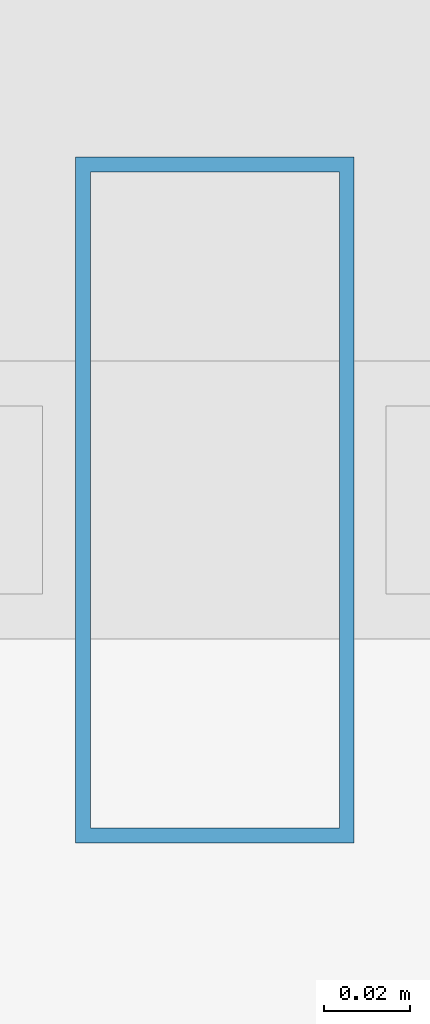
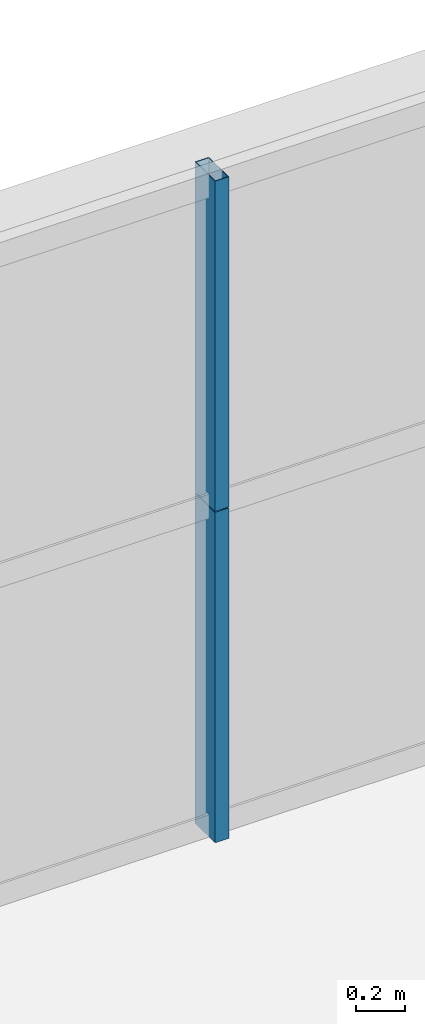
# One storey, part 27 of 38: 2 members, 1 element without a shape of its own.
"""IFC4 building model written with IfcOpenShell, lengths in metres."""

from ifc_helpers import new_model, si_unit, direction, frame, origin, origin_2d, place, context, subcontext, project, spatial, hollow_rectangle, extrude, source, transform, mapped, material, layer, layer_set, material_profile, profile_set, type_object, element, aggregate, save


model = new_model("IFC4")

# Units and contexts
model_context = context("Model", 3, precision=1e-05, world=origin(), true_north=direction((0.0, 1.0)))
body_context = subcontext(model_context, "Body", "Model", "MODEL_VIEW")
ifc_project = project(units=[si_unit("LENGTHUNIT", "METRE"), si_unit("AREAUNIT", "SQUARE_METRE"), si_unit("VOLUMEUNIT", "CUBIC_METRE"), si_unit("PLANEANGLEUNIT", "RADIAN"), si_unit("MASSUNIT", "GRAM", prefix="KILO"), si_unit("THERMODYNAMICTEMPERATUREUNIT", "KELVIN"), si_unit("POWERUNIT", "WATT")], contexts=[model_context])

# Site, building, storey
site_placement = place(None, origin())
site = spatial("IfcSite", under=ifc_project, at=site_placement, CompositionType="ELEMENT")
building_placement = place(site_placement, origin())
building = spatial("IfcBuilding", under=site, at=building_placement, Name="Yuzanri Waterfront Tower", CompositionType="ELEMENT")
storey_placement = place(building_placement, frame((0.0, 0.0, 202.0)))
storey = spatial("IfcBuildingStorey", under=building, at=storey_placement, Name="L53", CompositionType="ELEMENT", Elevation=202.0)

# Curtain wall, members
ifc_material_1 = material(Name="Anodized Architectural Bronze", Category="metal")
ifc_layer = layer(ifc_material_1, 0.159912109375)
ifc_layer_set = layer_set([ifc_layer], Name="Anodized Architectural Bronze")
curtain_wall_type = type_object("IfcCurtainWallType", Name="Anodized Bronze Mid-Rise Residential Acoustic Unitized Curtain Wall 7200", PredefinedType="NOTDEFINED", material=ifc_layer_set)
curtain_wall_placement = place(storey_placement, origin())
curtain_wall = element("IfcCurtainWall", 1, at=curtain_wall_placement, inside=storey, type_object=curtain_wall_type, Name="L53 Curtain Wall CW-L53-NL", PredefinedType="NOTDEFINED")
ifc_material_2 = material(Name="Anodized Architectural Bronze", Category="metal")
ifc_material_profile = material_profile(ifc_material_2, hollow_rectangle(XDim=0.06494140625, YDim=0.159912109375, WallThickness=0.00341796875, at=origin_2d()), Name="CWM 65x160")
ifc_profile_set = profile_set([ifc_material_profile], Name="Anodized Architectural Bronze")
member_type = type_object("IfcMemberType", Name="Anodized Bronze Upper-Zone Curtain-Wall Mullion 65x160", PredefinedType="MULLION", material=ifc_profile_set)
shared_shape = source(origin(), body_context, "Body", "SweptSolid", [
    extrude(hollow_rectangle(XDim=0.06494140625, YDim=0.159912109375, WallThickness=0.00341796875, at=origin_2d()), origin(), (0.0, 0.0, 1.0), 1.637939453125),
])
member_1_placement = place(storey_placement, frame((29.425048828125, 47.75, 0.0), z_axis=(0.0, 0.0, 1.0), x_axis=(1.0, 0.0, 0.0)))
member_1 = element("IfcMember", 2, at=member_1_placement, type_object=member_type, Name="CW-L53-NL Lower Mullion 01", PredefinedType="MULLION", context=body_context, shape_type="MappedRepresentation", body=[
    mapped(shared_shape, transform((0.0, 0.0, 0.0), scale=1.0)),
])
member_2_placement = place(storey_placement, frame((29.425048828125, 47.75, 1.64208984375), z_axis=(0.0, 0.0, 1.0), x_axis=(1.0, 0.0, 0.0)))
member_2 = element("IfcMember", 3, at=member_2_placement, type_object=member_type, Name="CW-L53-NL Upper Mullion 01", PredefinedType="MULLION", context=body_context, shape_type="MappedRepresentation", body=[
    mapped(shared_shape, transform((0.0, 0.0, 0.0), scale=1.0)),
])
aggregate(curtain_wall, [member_1, member_2])

save(model, "model.ifc")
